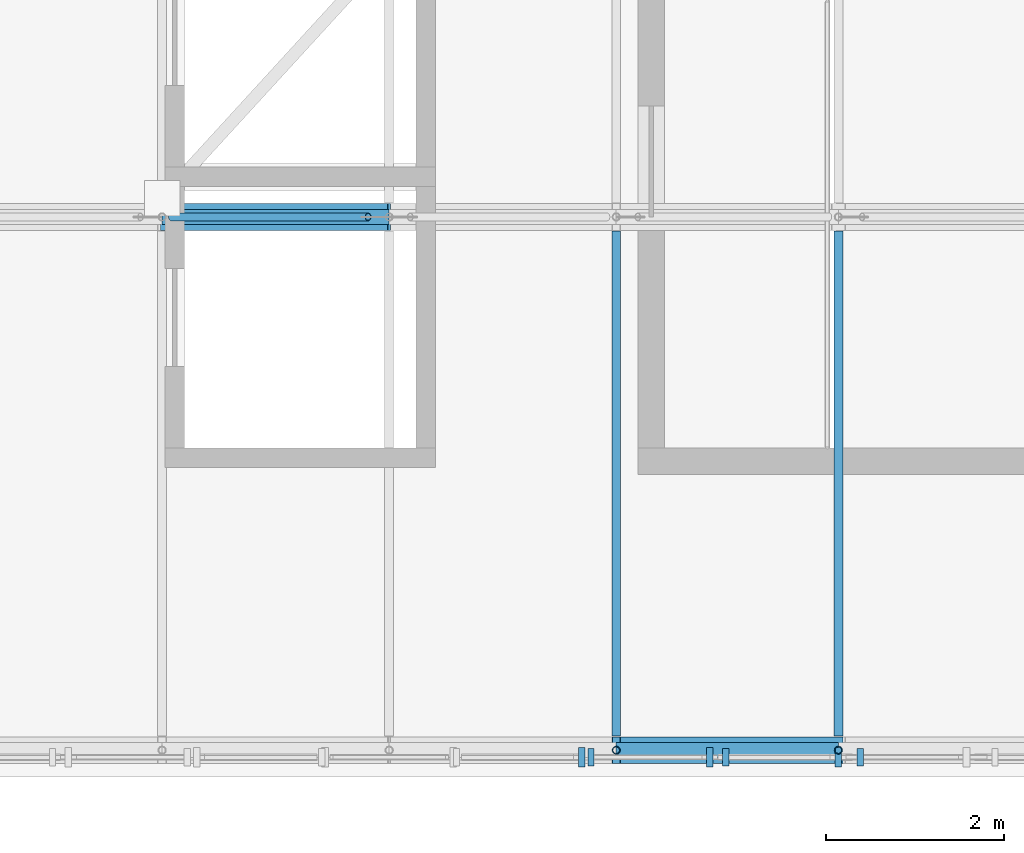
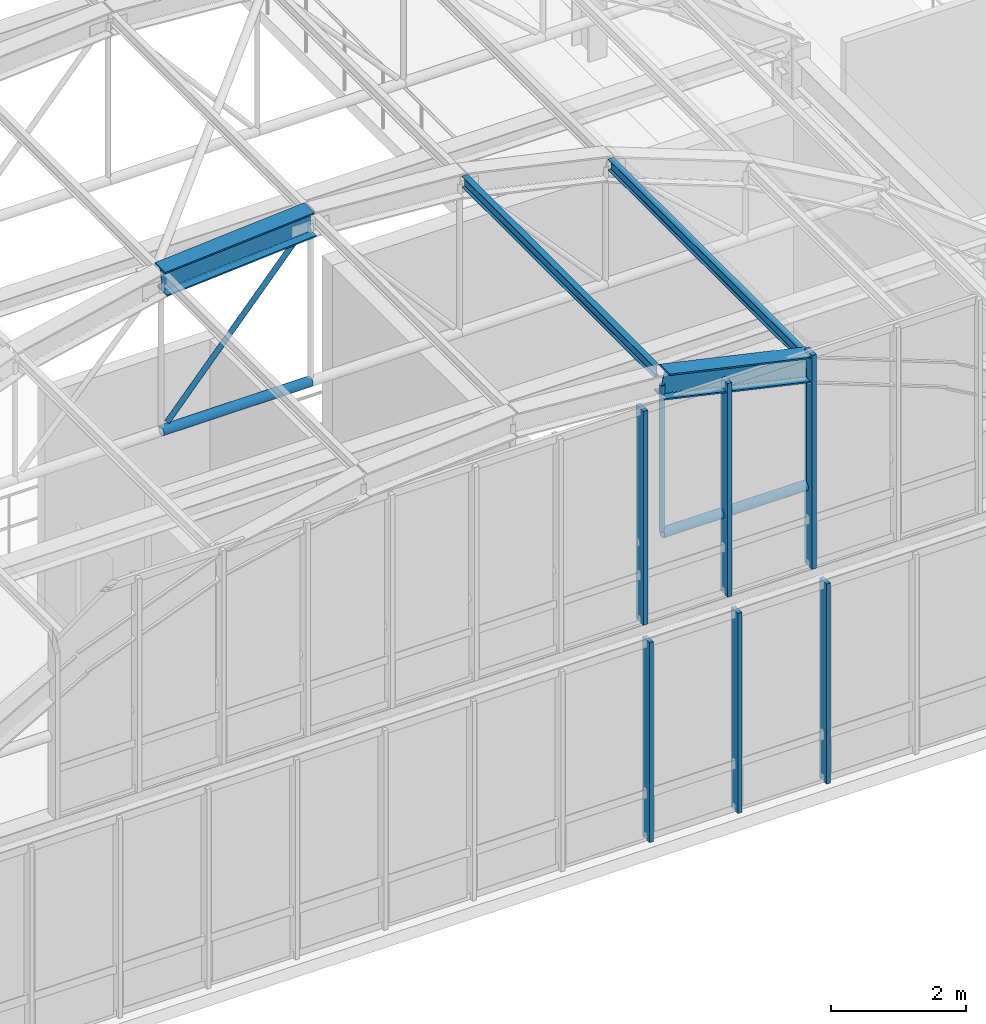
# One storey, part 34 of 148: 11 members, 4 beams, 2 elements without a shape of their own.
"""IFC4 building model written with IfcOpenShell, lengths in metres."""

from ifc_helpers import new_model, si_unit, direction, frame, origin, origin_2d, place, context, subcontext, project, spatial, rectangle, hollow_circle, i_section, extrude, material, layer, layer_set, material_profile, profile_set, type_object, element, aggregate, save


model = new_model("IFC4")

# Units and contexts
model_context = context("Model", 3, precision=1e-05, world=origin(), true_north=direction((0.0, 1.0)))
body_context = subcontext(model_context, "Body", "Model", "MODEL_VIEW")
ifc_project = project(units=[si_unit("LENGTHUNIT", "METRE"), si_unit("AREAUNIT", "SQUARE_METRE"), si_unit("VOLUMEUNIT", "CUBIC_METRE"), si_unit("PLANEANGLEUNIT", "RADIAN"), si_unit("MASSUNIT", "GRAM", prefix="KILO"), si_unit("THERMODYNAMICTEMPERATUREUNIT", "KELVIN"), si_unit("POWERUNIT", "WATT")], contexts=[model_context])

# Site, building, storey
site_placement = place(None, origin())
site = spatial("IfcSite", under=ifc_project, at=site_placement, CompositionType="ELEMENT")
building_placement = place(site_placement, origin())
building = spatial("IfcBuilding", under=site, at=building_placement, Name="Solvatero Civic Police Headquarters", CompositionType="ELEMENT")
storey_placement = place(building_placement, frame((0.0, 0.0, 5.10009765625)))
storey = spatial("IfcBuildingStorey", under=building, at=storey_placement, Name="L01", CompositionType="ELEMENT", Elevation=5.10009765625)

# Beams
ifc_material_1 = material(Name="Steel S355", Category="steel")
ifc_material_profile_1 = material_profile(ifc_material_1, i_section(OverallWidth=0.300048828125, OverallDepth=0.449951171875, WebThickness=0.013916015625, FlangeThickness=0.02587890625, FilletRadius=0.027099609375, at=origin_2d()), Name="HEB 450")
ifc_profile_set_1 = profile_set([ifc_material_profile_1], Name="Steel S355")
beam_type_1 = type_object("IfcBeamType", Name="BM-ST-HEB450", PredefinedType="BEAM", material=ifc_profile_set_1)
beam_1_placement = place(storey_placement, frame((113.05517578125, 4.800048828125, 8.1171875), z_axis=(0.975854055758, 0.0, -0.218423583574), x_axis=(0.0, 1.0, 0.0)))
element("IfcBeam", 1, at=beam_1_placement, inside=storey, type_object=beam_type_1, Name="VLT1 Tied-Arch Vault Top Chord F1.7", PredefinedType="BEAM", context=body_context, shape_type="SweptSolid", body=[
    extrude(i_section(OverallWidth=0.300048828125, OverallDepth=0.449951171875, WebThickness=0.013916015625, FlangeThickness=0.02587890625, FilletRadius=0.027099609375, at=origin_2d()), origin(), (0.0, 0.0, 1.0), 2.561767578125),
])
beam_2_placement = place(storey_placement, frame((107.94482421875, 10.800048828125, 8.1259765625), z_axis=(0.997304549883, 0.0, 0.073373256584), x_axis=(0.0, 1.0, 0.0)))
element("IfcBeam", 2, at=beam_2_placement, inside=storey, type_object=beam_type_1, Name="VLT1 Tied-Arch Vault Top Chord F2.5", PredefinedType="BEAM", context=body_context, shape_type="SweptSolid", body=[
    extrude(i_section(OverallWidth=0.300048828125, OverallDepth=0.449951171875, WebThickness=0.013916015625, FlangeThickness=0.02587890625, FilletRadius=0.027099609375, at=origin_2d()), origin(), (0.0, 0.0, 1.0), 2.56201171875),
])
ifc_material_profile_2 = material_profile(ifc_material_1, i_section(OverallWidth=0.10009765625, OverallDepth=0.199951171875, WebThickness=0.005615234375, FlangeThickness=0.008544921875, FilletRadius=0.011962890625, at=origin_2d()), Name="IPE 200")
ifc_profile_set_2 = profile_set([ifc_material_profile_2], Name="Steel S355")
beam_type_2 = type_object("IfcBeamType", Name="BM-ST-IPE200", PredefinedType="JOIST", material=ifc_profile_set_2)
for number, where, z_axis, x_axis, name in (
    (3, (113.05517578125, 4.9580078125, 8.222900390625), (0.0, 1.0, 0.0), (-1.0, 0.0, 0.0), "VLT1 Vault Roof Purlin B1.6"),
    (4, (115.55517578125, 4.9580078125, 7.65576171875), (0.0, 1.0, 0.0), (-1.0, 0.0, 0.0), "VLT1 Vault Roof Purlin B1.7"),
):
    element("IfcBeam", number, at=place(storey_placement, frame(where, z_axis=z_axis, x_axis=x_axis)), inside=storey, type_object=beam_type_2, Name=name, PredefinedType="JOIST", context=body_context, shape_type="SweptSolid", body=[
        extrude(i_section(OverallWidth=0.10009765625, OverallDepth=0.199951171875, WebThickness=0.005615234375, FlangeThickness=0.008544921875, FilletRadius=0.011962890625, at=origin_2d()), origin(), (0.0, 0.0, 1.0), 5.68408203125),
    ])

# Curtain wall, members
ifc_material_2 = material(Name="Anodized Bronze Aluminium", Category="aluminium")
ifc_layer_1 = layer(ifc_material_2, 0.179931640625)
ifc_layer_set_1 = layer_set([ifc_layer_1], Name="Anodized Bronze Aluminium")
curtain_wall_type_1 = type_object("IfcCurtainWallType", Name="CW-HAL-GLZ", PredefinedType="USERDEFINED", material=ifc_layer_set_1)
curtain_wall_1_placement = place(storey_placement, origin())
curtain_wall_1 = element("IfcCurtainWall", 5, at=curtain_wall_1_placement, inside=storey, type_object=curtain_wall_type_1, Name="Curtain Wall CW-R2-L01-V1-S", ObjectType="UNITISED", PredefinedType="USERDEFINED")
ifc_material_profile_3 = material_profile(ifc_material_2, rectangle(XDim=0.070068359375, YDim=0.199951171875, at=origin_2d()), Name="ALU MULLION 70x200")
ifc_profile_set_3 = profile_set([ifc_material_profile_3], Name="Anodized Bronze Aluminium")
member_type_1 = type_object("IfcMemberType", Name="CWM-220x80", PredefinedType="MULLION", material=ifc_profile_set_3)
member_1_placement = place(storey_placement, frame((112.77197265625, 4.719970703125, 0.0), z_axis=(0.0, 0.0, 1.0), x_axis=(1.0, 0.0, 0.0)))
member_1 = element("IfcMember", 6, at=member_1_placement, type_object=member_type_1, Name="CW-R2-L01-V1-S Mullion 10", PredefinedType="MULLION", context=body_context, shape_type="SweptSolid", body=[
    extrude(rectangle(XDim=0.070068359375, YDim=0.199951171875, at=origin_2d()), origin(), (0.0, 0.0, 1.0), 3.619873046875),
])
member_2_placement = place(storey_placement, frame((114.28662109375, 4.719970703125, 0.0), z_axis=(0.0, 0.0, 1.0), x_axis=(1.0, 0.0, 0.0)))
member_2 = element("IfcMember", 7, at=member_2_placement, type_object=member_type_1, Name="CW-R2-L01-V1-S Mullion 11", PredefinedType="MULLION", context=body_context, shape_type="SweptSolid", body=[
    extrude(rectangle(XDim=0.070068359375, YDim=0.199951171875, at=origin_2d()), origin(), (0.0, 0.0, 1.0), 3.619873046875),
])
member_3_placement = place(storey_placement, frame((115.80126953125, 4.719970703125, 0.0), z_axis=(0.0, 0.0, 1.0), x_axis=(1.0, 0.0, 0.0)))
member_3 = element("IfcMember", 8, at=member_3_placement, type_object=member_type_1, Name="CW-R2-L01-V1-S Mullion 12", PredefinedType="MULLION", context=body_context, shape_type="SweptSolid", body=[
    extrude(rectangle(XDim=0.070068359375, YDim=0.199951171875, at=origin_2d()), origin(), (0.0, 0.0, 1.0), 3.619873046875),
])
aggregate(curtain_wall_1, [member_1, member_2, member_3])

ifc_layer_2 = layer(ifc_material_2, 0.179931640625)
ifc_layer_set_2 = layer_set([ifc_layer_2], Name="Anodized Bronze Aluminium")
curtain_wall_type_2 = type_object("IfcCurtainWallType", Name="CW-VLT-TYMP", PredefinedType="USERDEFINED", material=ifc_layer_set_2)
curtain_wall_2_placement = place(storey_placement, origin())
curtain_wall_2 = element("IfcCurtainWall", 9, at=curtain_wall_2_placement, inside=storey, type_object=curtain_wall_type_2, Name="Curtain Wall CW-R2-L01-VLT1-S", ObjectType="UNITISED", PredefinedType="USERDEFINED")
ifc_material_profile_4 = material_profile(ifc_material_2, rectangle(XDim=0.074951171875, YDim=0.219970703125, at=origin_2d()), Name="ALU MULLION 75x220")
ifc_profile_set_4 = profile_set([ifc_material_profile_4], Name="Anodized Bronze Aluminium")
member_type_2 = type_object("IfcMemberType", Name="CWM-250x85", PredefinedType="MULLION", material=ifc_profile_set_4)
member_4_placement = place(storey_placement, frame((112.66552734375, 4.719970703125, 3.97998046875), z_axis=(0.0, 0.0, 1.0), x_axis=(1.0, 0.0, 0.0)))
member_4 = element("IfcMember", 10, at=member_4_placement, type_object=member_type_2, Name="CW-R2-L01-VLT1-S Mullion 8", PredefinedType="MULLION", context=body_context, shape_type="SweptSolid", body=[
    extrude(rectangle(XDim=0.074951171875, YDim=0.219970703125, at=origin_2d()), origin(), (0.0, 0.0, 1.0), 3.869873046875),
])
member_5_placement = place(storey_placement, frame((114.109130859375, 4.719970703125, 3.97998046875), z_axis=(0.0, 0.0, 1.0), x_axis=(1.0, 0.0, 0.0)))
member_5 = element("IfcMember", 11, at=member_5_placement, type_object=member_type_2, Name="CW-R2-L01-VLT1-S Mullion 9", PredefinedType="MULLION", context=body_context, shape_type="SweptSolid", body=[
    extrude(rectangle(XDim=0.074951171875, YDim=0.219970703125, at=origin_2d()), origin(), (0.0, 0.0, 1.0), 3.869873046875),
])
member_6_placement = place(storey_placement, frame((115.552734375, 4.719970703125, 3.97998046875), z_axis=(0.0, 0.0, 1.0), x_axis=(1.0, 0.0, 0.0)))
member_6 = element("IfcMember", 12, at=member_6_placement, type_object=member_type_2, Name="CW-R2-L01-VLT1-S Mullion 10", PredefinedType="MULLION", context=body_context, shape_type="SweptSolid", body=[
    extrude(rectangle(XDim=0.074951171875, YDim=0.219970703125, at=origin_2d()), origin(), (0.0, 0.0, 1.0), 3.869873046875),
])
aggregate(curtain_wall_2, [member_4, member_5, member_6])

# Members
ifc_material_profile_5 = material_profile(ifc_material_1, hollow_circle(Radius=0.04443359375, WallThickness=0.00634765625, at=origin_2d()), Name="CHS 88.9x6.3")
ifc_profile_set_5 = profile_set([ifc_material_profile_5], Name="Steel S355")
member_type_3 = type_object("IfcMemberType", Name="MB-HNG-CHS89", PredefinedType="STRUT", material=ifc_profile_set_5)
member_7_placement = place(storey_placement, frame((113.05517578125, 4.800048828125, 5.431640625), z_axis=(0.0, 0.0, 1.0), x_axis=(1.0, 0.0, 0.0)))
element("IfcMember", 13, at=member_7_placement, inside=storey, type_object=member_type_3, Name="VLT1 Vault Vertical Hanger F1.6", PredefinedType="STRUT", context=body_context, shape_type="SweptSolid", body=[
    extrude(hollow_circle(Radius=0.04443359375, WallThickness=0.00634765625, at=origin_2d()), origin(), (0.0, 0.0, 1.0), 2.649169921875),
])
member_8_placement = place(storey_placement, frame((115.55517578125, 4.800048828125, 5.431640625), z_axis=(0.0, 0.0, 1.0), x_axis=(1.0, 0.0, 0.0)))
element("IfcMember", 14, at=member_8_placement, inside=storey, type_object=member_type_3, Name="VLT1 Vault Vertical Hanger F1.7", PredefinedType="STRUT", context=body_context, shape_type="SweptSolid", body=[
    extrude(hollow_circle(Radius=0.04443359375, WallThickness=0.00634765625, at=origin_2d()), origin(), (0.0, 0.0, 1.0), 2.08935546875),
])
member_9_placement = place(storey_placement, frame((108.050048828125, 10.800048828125, 5.51220703125), z_axis=(0.657605371239, 0.0, 0.753362579186), x_axis=(0.0, 1.0, 0.0)))
element("IfcMember", 15, at=member_9_placement, inside=storey, type_object=member_type_3, Name="VLT1 Vault Truss Diagonal Web F2.4", PredefinedType="STRUT", context=body_context, shape_type="SweptSolid", body=[
    extrude(hollow_circle(Radius=0.04443359375, WallThickness=0.00634765625, at=origin_2d()), origin(), (0.0, 0.0, 1.0), 3.365478515625),
])
ifc_material_profile_6 = material_profile(ifc_material_1, hollow_circle(Radius=0.084228515625, WallThickness=0.010009765625, at=origin_2d()), Name="CHS 168.3x10.0")
ifc_profile_set_6 = profile_set([ifc_material_profile_6], Name="Steel S355")
member_type_4 = type_object("IfcMemberType", Name="MB-TIE-CHS168", PredefinedType="CHORD", material=ifc_profile_set_6)
member_10_placement = place(storey_placement, frame((113.05517578125, 4.800048828125, 5.3916015625), z_axis=(1.0, 0.0, 0.0), x_axis=(0.0, 1.0, 0.0)))
element("IfcMember", 16, at=member_10_placement, inside=storey, type_object=member_type_4, Name="VLT1 Vault Horizontal Tie Chord F1.6", PredefinedType="CHORD", context=body_context, shape_type="SweptSolid", body=[
    extrude(hollow_circle(Radius=0.084228515625, WallThickness=0.010009765625, at=origin_2d()), origin(), (0.0, 0.0, 1.0), 2.5),
])
member_11_placement = place(storey_placement, frame((107.94482421875, 10.800048828125, 5.3916015625), z_axis=(1.0, 0.0, 0.0), x_axis=(0.0, 1.0, 0.0)))
element("IfcMember", 17, at=member_11_placement, inside=storey, type_object=member_type_4, Name="VLT1 Vault Horizontal Tie Chord F2.4", PredefinedType="CHORD", context=body_context, shape_type="SweptSolid", body=[
    extrude(hollow_circle(Radius=0.084228515625, WallThickness=0.010009765625, at=origin_2d()), origin(), (0.0, 0.0, 1.0), 2.55517578125),
])

save(model, "model.ifc")
